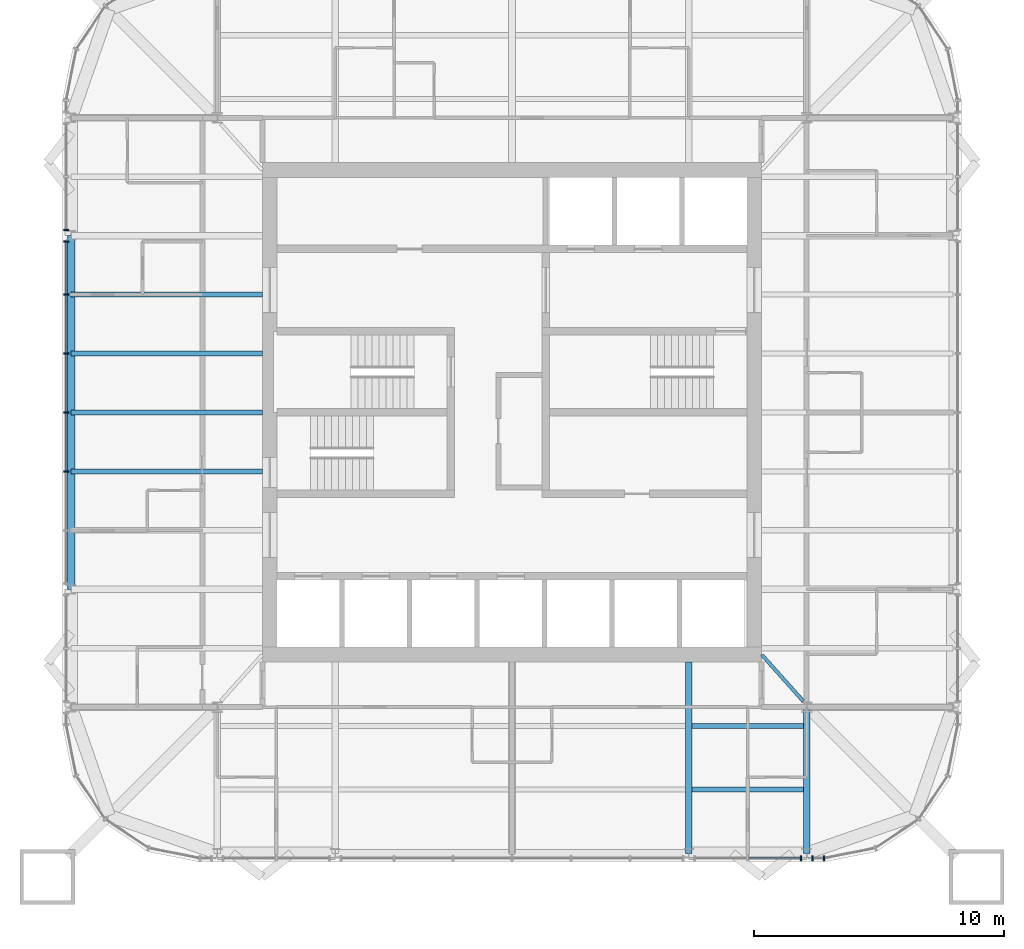
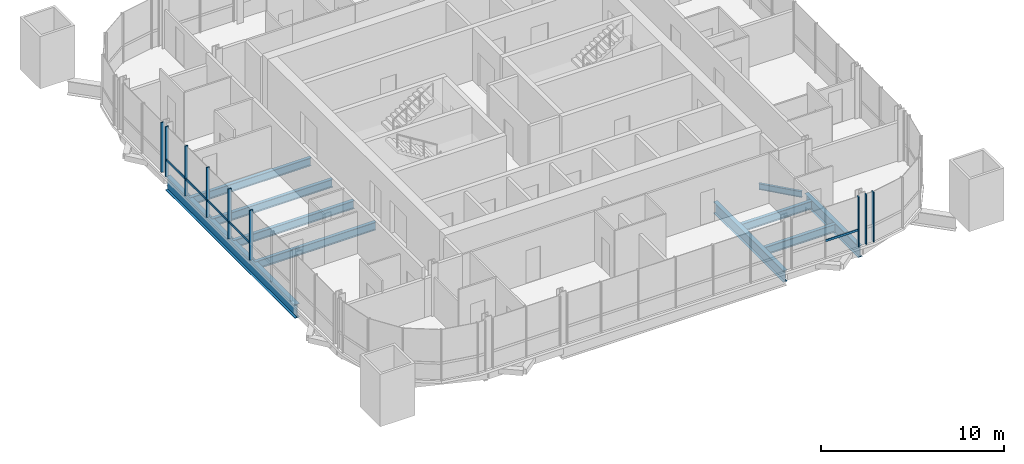
# One storey, part 3 of 17: 14 members, 10 beams, 4 elements without a shape of their own.
"""IFC4 building model written with IfcOpenShell, lengths in metres."""

from ifc_helpers import new_model, si_unit, direction, frame, origin, origin_2d, place, context, subcontext, project, spatial, rectangle, i_section, extrude, material, material_profile, profile_set, type_object, element, aggregate, save


model = new_model("IFC4")

# Units and contexts
model_context = context("Model", 3, precision=1e-05, world=origin(), true_north=direction((0.0, 1.0)))
body_context = subcontext(model_context, "Body", "Model", "MODEL_VIEW")
ifc_project = project(units=[si_unit("LENGTHUNIT", "METRE"), si_unit("AREAUNIT", "SQUARE_METRE"), si_unit("VOLUMEUNIT", "CUBIC_METRE"), si_unit("PLANEANGLEUNIT", "RADIAN"), si_unit("MASSUNIT", "GRAM", prefix="KILO")], contexts=[model_context])

# Site, building, storey
site_placement = place(None, origin())
site = spatial("IfcSite", under=ifc_project, at=site_placement, CompositionType="ELEMENT")
building_placement = place(site_placement, origin())
building = spatial("IfcBuilding", under=site, at=building_placement, Name="Turquesa Mirador Hotel Tower", CompositionType="ELEMENT")
storey_placement = place(building_placement, frame((0.0, 0.0, 237.199951171875)))
storey = spatial("IfcBuildingStorey", under=building, at=storey_placement, Name="L64", CompositionType="ELEMENT", Elevation=237.199951171875)

# Beams
ifc_material_1 = material(Name="Steel ASTM A992 Grade 50", Category="steel")
ifc_material_profile_1 = material_profile(ifc_material_1, i_section(OverallWidth=0.140380859375, OverallDepth=0.40380859375, WebThickness=0.007080078125, FlangeThickness=0.01123046875, at=origin_2d()), Name="W16X31")
ifc_profile_set_1 = profile_set([ifc_material_profile_1], Name="Steel ASTM A992 Grade 50")
beam_type_1 = type_object("IfcBeamType", Name="BEAM W16X31", PredefinedType="BEAM", material=ifc_profile_set_1)
beam_1_placement = place(storey_placement, frame((66.656494140625, 33.44873046875, -0.371826171875), z_axis=(-0.666806350186, 0.745231032198, 0.0), x_axis=(-0.745231032198, -0.666806350186, 0.0)))
element("IfcBeam", 1, at=beam_1_placement, inside=storey, type_object=beam_type_1, Name="KT-L64-4", PredefinedType="BEAM", context=body_context, shape_type="SweptSolid", body=[
    extrude(i_section(OverallWidth=0.140380859375, OverallDepth=0.40380859375, WebThickness=0.007080078125, FlangeThickness=0.01123046875, at=origin_2d()), origin(), (0.0, 0.0, 1.0), 2.484130859375),
])
ifc_material_2 = material(Name="Steel ASTM A992 Grade 50", Category="steel")
ifc_material_profile_2 = material_profile(ifc_material_2, i_section(OverallWidth=0.209228515625, OverallDepth=0.533447265625, WebThickness=0.01025390625, FlangeThickness=0.015625, at=origin_2d()), Name="W21X62")
ifc_profile_set_2 = profile_set([ifc_material_profile_2], Name="Steel ASTM A992 Grade 50")
beam_type_2 = type_object("IfcBeamType", Name="BEAM W21X62", PredefinedType="BEAM", material=ifc_profile_set_2)
for number, where, z_axis, x_axis, name in (
    (2, (62.21337890625, 32.449951171875, -0.436767578125), (1.0, 0.0, 0.0), (0.0, 1.0, 0.0), "IB-L64-S-1-3"),
    (3, (62.21337890625, 29.89990234375, -0.436767578125), (1.0, 0.0, 0.0), (0.0, 1.0, 0.0), "IB-L64-S-2-3"),
):
    element("IfcBeam", number, at=place(storey_placement, frame(where, z_axis=z_axis, x_axis=x_axis)), inside=storey, type_object=beam_type_2, Name=name, PredefinedType="BEAM", context=body_context, shape_type="SweptSolid", body=[
        extrude(i_section(OverallWidth=0.209228515625, OverallDepth=0.533447265625, WebThickness=0.01025390625, FlangeThickness=0.015625, at=origin_2d()), origin(), (0.0, 0.0, 1.0), 4.453369140625),
    ])
for number, where, z_axis, x_axis, name in (
    (4, (37.35009765625, 42.639892578125, -0.436767578125), (1.0, 0.0, 0.0), (0.0, 1.0, 0.0), "BM-L64-W--2.36"),
    (5, (37.35009765625, 45.0, -0.436767578125), (1.0, 0.0, 0.0), (0.0, 1.0, 0.0), "BM-L64-W-+0.00"),
    (6, (37.35009765625, 47.360107421875, -0.436767578125), (1.0, 0.0, 0.0), (0.0, 1.0, 0.0), "BM-L64-W-+2.36"),
    (7, (37.35009765625, 49.719970703125, -0.436767578125), (1.0, 0.0, 0.0), (0.0, 1.0, 0.0), "BM-L64-W-+4.72"),
):
    element("IfcBeam", number, at=place(storey_placement, frame(where, z_axis=z_axis, x_axis=x_axis)), inside=storey, type_object=beam_type_2, Name=name, PredefinedType="BEAM", context=body_context, shape_type="SweptSolid", body=[
        extrude(i_section(OverallWidth=0.209228515625, OverallDepth=0.533447265625, WebThickness=0.01025390625, FlangeThickness=0.015625, at=origin_2d()), origin(), (0.0, 0.0, 1.0), 7.64990234375),
    ])
ifc_material_3 = material(Name="Steel ASTM A992 Grade 50", Category="steel")
ifc_material_profile_3 = material_profile(ifc_material_3, i_section(OverallWidth=0.2666015625, OverallDepth=0.7568359375, WebThickness=0.013916015625, FlangeThickness=0.019287109375, at=origin_2d()), Name="W30X108")
ifc_profile_set_3 = profile_set([ifc_material_profile_3], Name="Steel ASTM A992 Grade 50")
beam_type_3 = type_object("IfcBeamType", Name="BEAM W30X108", PredefinedType="BEAM", material=ifc_profile_set_3)
beam_2_placement = place(storey_placement, frame((62.080078125, 27.35009765625, -0.54833984375), z_axis=(0.0, 1.0, 0.0), x_axis=(-1.0, 0.0, 0.0)))
element("IfcBeam", 8, at=beam_2_placement, inside=storey, type_object=beam_type_3, Name="GD-L64-S-+7.08", PredefinedType="BEAM", context=body_context, shape_type="SweptSolid", body=[
    extrude(i_section(OverallWidth=0.2666015625, OverallDepth=0.7568359375, WebThickness=0.013916015625, FlangeThickness=0.019287109375, at=origin_2d()), origin(), (0.0, 0.0, 1.0), 7.64990234375),
])
beam_3_placement = place(storey_placement, frame((66.800048828125, 27.35009765625, -0.54833984375), z_axis=(0.0, 1.0, 0.0), x_axis=(-1.0, 0.0, 0.0)))
element("IfcBeam", 9, at=beam_3_placement, inside=storey, type_object=beam_type_3, Name="GK-L64-S-+11.80", PredefinedType="BEAM", context=body_context, shape_type="SweptSolid", body=[
    extrude(i_section(OverallWidth=0.2666015625, OverallDepth=0.7568359375, WebThickness=0.013916015625, FlangeThickness=0.019287109375, at=origin_2d()), origin(), (0.0, 0.0, 1.0), 5.849853515625),
])
ifc_material_4 = material(Name="Steel ASTM A992 Grade 50", Category="steel")
ifc_material_profile_4 = material_profile(ifc_material_4, i_section(OverallWidth=0.3046875, OverallDepth=0.911865234375, WebThickness=0.015869140625, FlangeThickness=0.02392578125, at=origin_2d()), Name="W36X150")
ifc_profile_set_4 = profile_set([ifc_material_profile_4], Name="Steel ASTM A992 Grade 50")
beam_type_4 = type_object("IfcBeamType", Name="BEAM W36X150", PredefinedType="BEAM", material=ifc_profile_set_4)
beam_4_placement = place(storey_placement, frame((37.35009765625, 37.919921875, -0.6259765625), z_axis=(0.0, 1.0, 0.0), x_axis=(-1.0, 0.0, 0.0)))
element("IfcBeam", 10, at=beam_4_placement, inside=storey, type_object=beam_type_4, Name="EB-L64-W-C", PredefinedType="BEAM", context=body_context, shape_type="SweptSolid", body=[
    extrude(i_section(OverallWidth=0.3046875, OverallDepth=0.911865234375, WebThickness=0.015869140625, FlangeThickness=0.02392578125, at=origin_2d()), origin(), (0.0, 0.0, 1.0), 14.16015625),
])

# Curtain wall, member
ifc_material_5 = material(Name="Aluminium extrusion", Category="aluminium")
curtain_wall_type = type_object("IfcCurtainWallType", Name="CW-4 SUITE FRITTED CURTAIN WALL", PredefinedType="USERDEFINED", material=ifc_material_5)
curtain_wall_1_placement = place(storey_placement, origin())
curtain_wall_1 = element("IfcCurtainWall", 11, at=curtain_wall_1_placement, inside=storey, type_object=curtain_wall_type, Name="CW-4 SUITE FRITTED CURTAIN WALL L64", ObjectType="CURTAIN WALL", PredefinedType="USERDEFINED")
ifc_material_6 = material(Name="Aluminium extrusion", Category="aluminium")
ifc_material_profile_5 = material_profile(ifc_material_6, rectangle(XDim=0.06494140625, YDim=0.199951171875, at=origin_2d()), Name="MULLION 65X200")
ifc_profile_set_5 = profile_set([ifc_material_profile_5], Name="Aluminium extrusion")
member_type_1 = type_object("IfcMemberType", Name="CW MULLION 65X200", PredefinedType="MULLION", material=ifc_profile_set_5)
member_1_placement = place(storey_placement, frame((37.14990234375, 52.31396484375, 0.0), z_axis=(0.0, 0.0, 1.0), x_axis=(0.0, -1.0, 0.0)))
member_1 = element("IfcMember", 12, at=member_1_placement, type_object=member_type_1, Name="Mullion", PredefinedType="MULLION", context=body_context, shape_type="SweptSolid", body=[
    extrude(rectangle(XDim=0.06494140625, YDim=0.199951171875, at=origin_2d()), origin(), (0.0, 0.0, 1.0), 3.330078125),
])
aggregate(curtain_wall_1, [member_1])

# Curtain wall, members
curtain_wall_2_placement = place(storey_placement, origin())
curtain_wall_2 = element("IfcCurtainWall", 13, at=curtain_wall_2_placement, inside=storey, type_object=curtain_wall_type, Name="CW-4 SUITE FRITTED CURTAIN WALL L64", ObjectType="CURTAIN WALL", PredefinedType="USERDEFINED")
member_2_placement = place(storey_placement, frame((37.14990234375, 51.84619140625, 0.0), z_axis=(0.0, 0.0, 1.0), x_axis=(0.0, -1.0, 0.0)))
member_2 = element("IfcMember", 14, at=member_2_placement, type_object=member_type_1, Name="Mullion", PredefinedType="MULLION", context=body_context, shape_type="SweptSolid", body=[
    extrude(rectangle(XDim=0.06494140625, YDim=0.199951171875, at=origin_2d()), origin(), (0.0, 0.0, 1.0), 3.330078125),
])
member_3_placement = place(storey_placement, frame((37.14990234375, 49.719970703125, 0.0), z_axis=(0.0, 0.0, 1.0), x_axis=(0.0, -1.0, 0.0)))
member_3 = element("IfcMember", 15, at=member_3_placement, type_object=member_type_1, Name="Mullion", PredefinedType="MULLION", context=body_context, shape_type="SweptSolid", body=[
    extrude(rectangle(XDim=0.06494140625, YDim=0.199951171875, at=origin_2d()), origin(), (0.0, 0.0, 1.0), 3.330078125),
])
member_4_placement = place(storey_placement, frame((37.14990234375, 47.360107421875, 0.0), z_axis=(0.0, 0.0, 1.0), x_axis=(0.0, -1.0, 0.0)))
member_4 = element("IfcMember", 16, at=member_4_placement, type_object=member_type_1, Name="Mullion", PredefinedType="MULLION", context=body_context, shape_type="SweptSolid", body=[
    extrude(rectangle(XDim=0.06494140625, YDim=0.199951171875, at=origin_2d()), origin(), (0.0, 0.0, 1.0), 3.330078125),
])
member_5_placement = place(storey_placement, frame((37.14990234375, 45.0, 0.0), z_axis=(0.0, 0.0, 1.0), x_axis=(0.0, -1.0, 0.0)))
member_5 = element("IfcMember", 17, at=member_5_placement, type_object=member_type_1, Name="Mullion", PredefinedType="MULLION", context=body_context, shape_type="SweptSolid", body=[
    extrude(rectangle(XDim=0.06494140625, YDim=0.199951171875, at=origin_2d()), origin(), (0.0, 0.0, 1.0), 3.330078125),
])
member_6_placement = place(storey_placement, frame((37.14990234375, 42.639892578125, 0.0), z_axis=(0.0, 0.0, 1.0), x_axis=(0.0, -1.0, 0.0)))
member_6 = element("IfcMember", 18, at=member_6_placement, type_object=member_type_1, Name="Mullion", PredefinedType="MULLION", context=body_context, shape_type="SweptSolid", body=[
    extrude(rectangle(XDim=0.06494140625, YDim=0.199951171875, at=origin_2d()), origin(), (0.0, 0.0, 1.0), 3.330078125),
])

# Curtain wall, member
curtain_wall_3_placement = place(storey_placement, origin())
curtain_wall_3 = element("IfcCurtainWall", 19, at=curtain_wall_3_placement, inside=storey, type_object=curtain_wall_type, Name="CW-4 SUITE FRITTED CURTAIN WALL L64", ObjectType="CURTAIN WALL", PredefinedType="USERDEFINED")
member_7_placement = place(storey_placement, frame((66.566162109375, 27.14990234375, 0.0), z_axis=(0.0, 0.0, 1.0), x_axis=(1.0, 0.0, 0.0)))
member_7 = element("IfcMember", 20, at=member_7_placement, type_object=member_type_1, Name="Mullion", PredefinedType="MULLION", context=body_context, shape_type="SweptSolid", body=[
    extrude(rectangle(XDim=0.06494140625, YDim=0.199951171875, at=origin_2d()), origin(), (0.0, 0.0, 1.0), 3.330078125),
])

# Curtain wall, members
curtain_wall_4_placement = place(storey_placement, origin())
curtain_wall_4 = element("IfcCurtainWall", 21, at=curtain_wall_4_placement, inside=storey, type_object=curtain_wall_type, Name="CW-4 SUITE FRITTED CURTAIN WALL L64", ObjectType="CURTAIN WALL", PredefinedType="USERDEFINED")
member_8_placement = place(storey_placement, frame((67.033935546875, 27.14990234375, 0.0), z_axis=(0.0, 0.0, 1.0), x_axis=(1.0, 0.0, 0.0)))
member_8 = element("IfcMember", 22, at=member_8_placement, type_object=member_type_1, Name="Mullion", PredefinedType="MULLION", context=body_context, shape_type="SweptSolid", body=[
    extrude(rectangle(XDim=0.06494140625, YDim=0.199951171875, at=origin_2d()), origin(), (0.0, 0.0, 1.0), 3.330078125),
])
member_9_placement = place(storey_placement, frame((67.5, 27.14990234375, 0.0), z_axis=(0.0, 0.0, 1.0), x_axis=(1.0, 0.0, 0.0)))
member_9 = element("IfcMember", 23, at=member_9_placement, type_object=member_type_1, Name="Mullion", PredefinedType="MULLION", context=body_context, shape_type="SweptSolid", body=[
    extrude(rectangle(XDim=0.06494140625, YDim=0.199951171875, at=origin_2d()), origin(), (0.0, 0.0, 1.0), 3.330078125),
])
aggregate(curtain_wall_4, [member_8, member_9])

# Member
ifc_material_7 = material(Name="Aluminium extrusion", Category="aluminium")
ifc_material_profile_6 = material_profile(ifc_material_7, rectangle(XDim=0.06494140625, YDim=0.14990234375, at=origin_2d()), Name="TRANSOM 65X150")
ifc_profile_set_6 = profile_set([ifc_material_profile_6], Name="Aluminium extrusion")
member_type_2 = type_object("IfcMemberType", Name="CW TRANSOM 65X150", PredefinedType="USERDEFINED", material=ifc_profile_set_6)
member_10_placement = place(storey_placement, frame((37.14990234375, 51.813720703125, 1.10009765625), z_axis=(0.0, -1.0, 0.0), x_axis=(1.0, 0.0, 0.0)))
member_10 = element("IfcMember", 24, at=member_10_placement, type_object=member_type_2, Name="Transom", ObjectType="TRANSOM", PredefinedType="USERDEFINED", context=body_context, shape_type="SweptSolid", body=[
    extrude(rectangle(XDim=0.06494140625, YDim=0.14990234375, at=origin_2d()), origin(), (0.0, 0.0, 1.0), 2.061279296875),
])

member_11_placement = place(storey_placement, frame((37.14990234375, 49.6875, 1.10009765625), z_axis=(0.0, -1.0, 0.0), x_axis=(1.0, 0.0, 0.0)))
member_11 = element("IfcMember", 25, at=member_11_placement, type_object=member_type_2, Name="Transom", ObjectType="TRANSOM", PredefinedType="USERDEFINED", context=body_context, shape_type="SweptSolid", body=[
    extrude(rectangle(XDim=0.06494140625, YDim=0.14990234375, at=origin_2d()), origin(), (0.0, 0.0, 1.0), 2.294921875),
])

member_12_placement = place(storey_placement, frame((37.14990234375, 47.327392578125, 1.10009765625), z_axis=(0.0, -1.0, 0.0), x_axis=(1.0, 0.0, 0.0)))
member_12 = element("IfcMember", 26, at=member_12_placement, type_object=member_type_2, Name="Transom", ObjectType="TRANSOM", PredefinedType="USERDEFINED", context=body_context, shape_type="SweptSolid", body=[
    extrude(rectangle(XDim=0.06494140625, YDim=0.14990234375, at=origin_2d()), origin(), (0.0, 0.0, 1.0), 2.294921875),
])

member_13_placement = place(storey_placement, frame((37.14990234375, 44.967529296875, 1.10009765625), z_axis=(0.0, -1.0, 0.0), x_axis=(1.0, 0.0, 0.0)))
member_13 = element("IfcMember", 27, at=member_13_placement, type_object=member_type_2, Name="Transom", ObjectType="TRANSOM", PredefinedType="USERDEFINED", context=body_context, shape_type="SweptSolid", body=[
    extrude(rectangle(XDim=0.06494140625, YDim=0.14990234375, at=origin_2d()), origin(), (0.0, 0.0, 1.0), 2.294921875),
])

aggregate(curtain_wall_2, [member_2, member_3, member_4, member_5, member_6, member_10, member_11, member_12, member_13])

member_14_placement = place(storey_placement, frame((64.472412109375, 27.14990234375, 1.10009765625), z_axis=(1.0, 0.0, 0.0), x_axis=(0.0, 1.0, 0.0)))
member_14 = element("IfcMember", 28, at=member_14_placement, type_object=member_type_2, Name="Transom", ObjectType="TRANSOM", PredefinedType="USERDEFINED", context=body_context, shape_type="SweptSolid", body=[
    extrude(rectangle(XDim=0.06494140625, YDim=0.14990234375, at=origin_2d()), origin(), (0.0, 0.0, 1.0), 2.061279296875),
])

aggregate(curtain_wall_3, [member_7, member_14])

save(model, "model.ifc")
